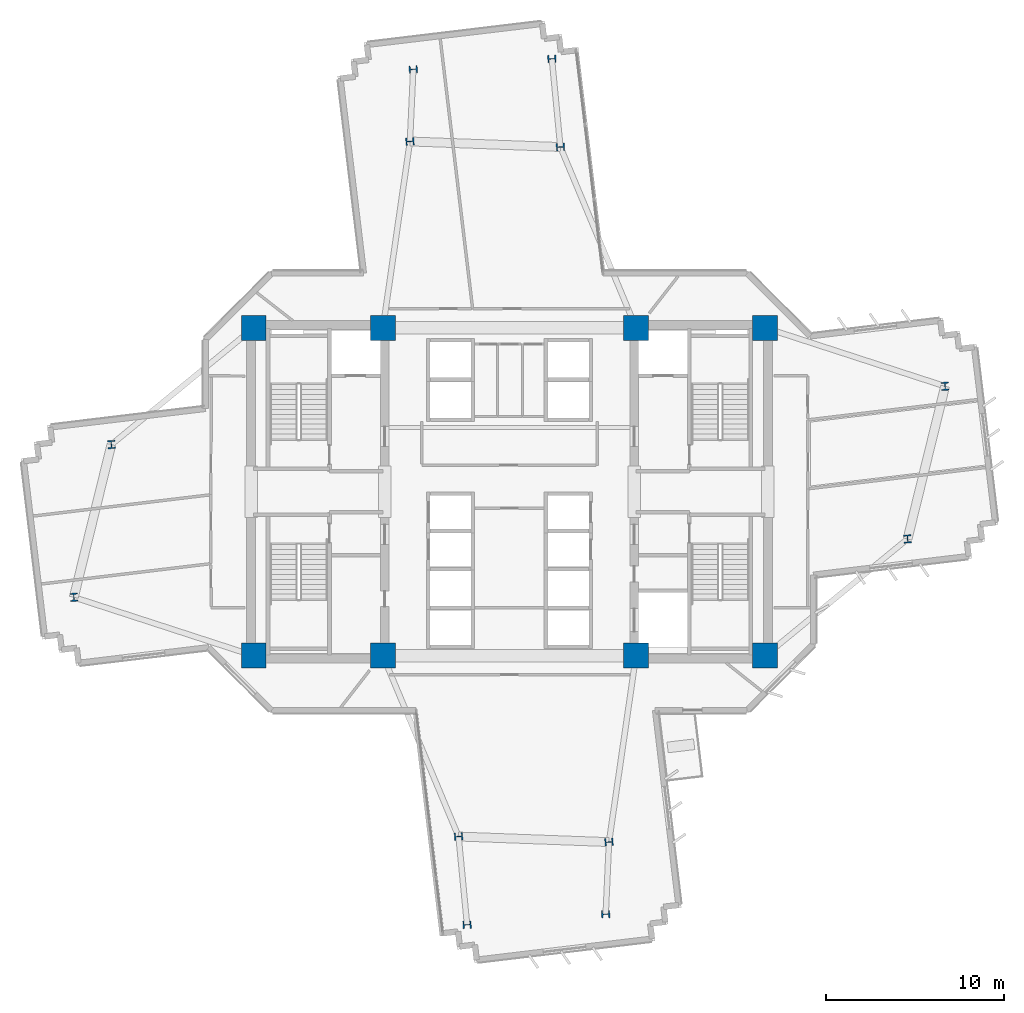
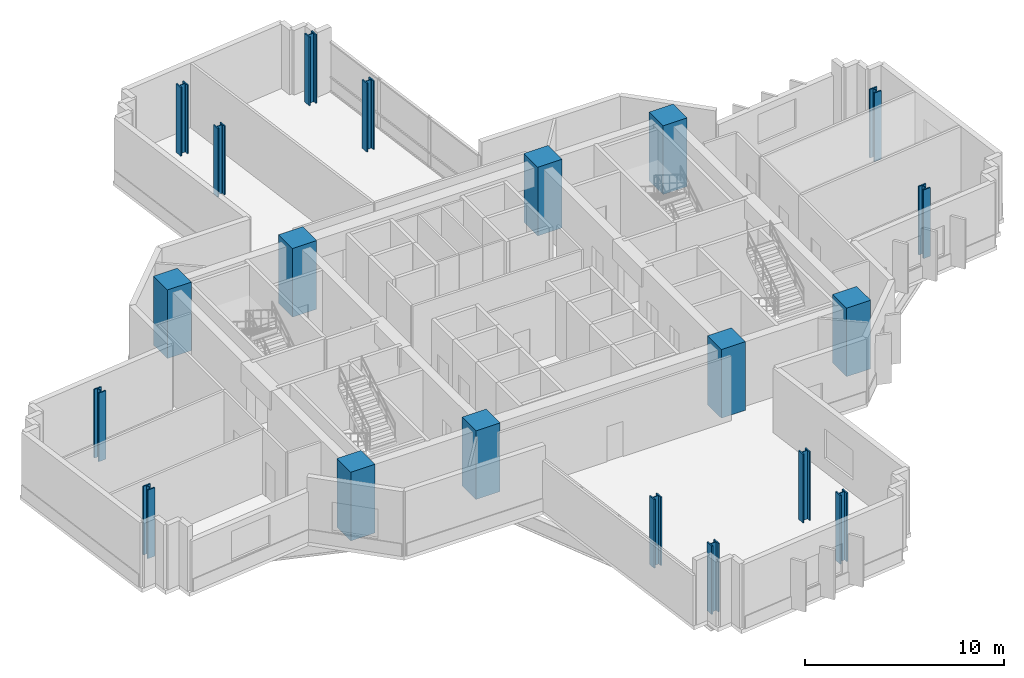
# One storey, part 1 of 15: 20 columns.
"""IFC4 building model written with IfcOpenShell, lengths in metres."""

from ifc_helpers import new_model, si_unit, direction, frame, origin, origin_2d, place, context, subcontext, project, spatial, rectangle, i_section, extrude, source, transform, mapped, material, material_profile, profile_set, type_object, element, save


model = new_model("IFC4")

# Units and contexts
model_context = context("Model", 3, precision=1e-05, world=origin(), true_north=direction((0.0, 1.0)))
body_context = subcontext(model_context, "Body", "Model", "MODEL_VIEW")
ifc_project = project(units=[si_unit("LENGTHUNIT", "METRE"), si_unit("AREAUNIT", "SQUARE_METRE"), si_unit("VOLUMEUNIT", "CUBIC_METRE"), si_unit("PLANEANGLEUNIT", "RADIAN"), si_unit("MASSUNIT", "GRAM", prefix="KILO")], contexts=[model_context])

# Site, building, storey
site_placement = place(None, origin())
site = spatial("IfcSite", under=ifc_project, at=site_placement, CompositionType="ELEMENT")
building_placement = place(site_placement, origin())
building = spatial("IfcBuilding", under=site, at=building_placement, Name="Zahravan Cultural Tower", CompositionType="ELEMENT")
storey_placement = place(building_placement, frame((0.0, 0.0, 113.10009765625)))
storey = spatial("IfcBuildingStorey", under=building, at=storey_placement, Name="L25", CompositionType="ELEMENT", Elevation=113.10009765625)

# Columns
ifc_material_1 = material(Name="Concrete C60/75", Category="concrete")
ifc_material_profile_1 = material_profile(ifc_material_1, rectangle(XDim=1.39990234375, YDim=1.39990234375, at=origin_2d()), Name="RC1400X1400")
ifc_profile_set_1 = profile_set([ifc_material_profile_1], Name="Concrete C60/75")
column_type_1 = type_object("IfcColumnType", Name="COL-RC1400", PredefinedType="COLUMN", material=ifc_profile_set_1)
shared_shape_1 = source(origin(), body_context, "Body", "SweptSolid", [
    extrude(rectangle(XDim=1.39990234375, YDim=1.39990234375, at=origin_2d()), origin(), (0.0, 0.0, 1.0), 4.199951171875),
])
for number, where, z_axis, x_axis, name in (
    (1, (21.64990234375, 17.800048828125, 0.0), (0.0, 0.0, 1.0), (1.0, 0.0, 0.0), "L25 Column CC-W1"),
    (2, (28.89990234375, 17.800048828125, 0.0), (0.0, 0.0, 1.0), (1.0, 0.0, 0.0), "L25 Column CC-W2"),
    (3, (21.64990234375, 36.199951171875, 0.0), (0.0, 0.0, 1.0), (1.0, 0.0, 0.0), "L25 Column CC-W3"),
    (4, (28.89990234375, 36.199951171875, 0.0), (0.0, 0.0, 1.0), (1.0, 0.0, 0.0), "L25 Column CC-W4"),
    (5, (43.10009765625, 17.800048828125, 0.0), (0.0, 0.0, 1.0), (1.0, 0.0, 0.0), "L25 Column CC-E1"),
    (6, (50.35009765625, 17.800048828125, 0.0), (0.0, 0.0, 1.0), (1.0, 0.0, 0.0), "L25 Column CC-E2"),
    (7, (43.10009765625, 36.199951171875, 0.0), (0.0, 0.0, 1.0), (1.0, 0.0, 0.0), "L25 Column CC-E3"),
    (8, (50.35009765625, 36.199951171875, 0.0), (0.0, 0.0, 1.0), (1.0, 0.0, 0.0), "L25 Column CC-E4"),
):
    element("IfcColumn", number, at=place(storey_placement, frame(where, z_axis=z_axis, x_axis=x_axis)), inside=storey, type_object=column_type_1, Name=name, PredefinedType="COLUMN", context=body_context, shape_type="MappedRepresentation", body=[
        mapped(shared_shape_1, transform((0.0, 0.0, 0.0), x_axis=(1.0, 0.0, 0.0), y_axis=(0.0, 1.0, 0.0), z_axis=(0.0, 0.0, 1.0), scale=1.0)),
    ])
ifc_material_2 = material(Name="Steel ASTM A992 Grade 50", Category="steel")
ifc_material_profile_2 = material_profile(ifc_material_2, i_section(OverallWidth=0.4208984375, OverallDepth=0.465087890625, WebThickness=0.044921875, FlangeThickness=0.072509765625, FilletRadius=0.01806640625, at=origin_2d()), Name="W14X398")
ifc_profile_set_2 = profile_set([ifc_material_profile_2], Name="Steel ASTM A992 Grade 50")
column_type_2 = type_object("IfcColumnType", Name="COL-W14X398", PredefinedType="COLUMN", material=ifc_profile_set_2)
shared_shape_2 = source(origin(), body_context, "Body", "SweptSolid", [
    extrude(i_section(OverallWidth=0.4208984375, OverallDepth=0.465087890625, WebThickness=0.044921875, FlangeThickness=0.072509765625, FilletRadius=0.01806640625, at=origin_2d()), origin(), (0.0, 0.0, 1.0), 4.199951171875),
])
for number, where, z_axis, x_axis, name in (
    (9, (58.339111328125, 24.351806640625, 0.0), (0.0, 0.0, 1.0), (0.99756405026, 0.069756473744, 0.0), "L25 Column Z1C-E1"),
    (10, (60.446533203125, 32.919677734375, 0.0), (0.0, 0.0, 1.0), (0.99756405026, 0.069756473744, 0.0), "L25 Column Z1C-E2"),
    (11, (38.857421875, 46.346435546875, 0.0), (0.0, 0.0, 1.0), (-0.069756473744, 0.99756405026, 0.0), "L25 Column Z1C-N1"),
    (12, (30.4150390625, 46.658203125, 0.0), (0.0, 0.0, 1.0), (-0.069756473744, 0.99756405026, 0.0), "L25 Column Z1C-N2"),
    (13, (13.660888671875, 29.648193359375, 0.0), (0.0, 0.0, 1.0), (0.99756405026, 0.069756473744, 0.0), "L25 Column Z1C-W1"),
    (14, (11.553466796875, 21.080322265625, 0.0), (0.0, 0.0, 1.0), (0.99756405026, 0.069756473744, 0.0), "L25 Column Z1C-W2"),
    (15, (33.142578125, 7.653564453125, 0.0), (0.0, 0.0, 1.0), (-0.069756473744, 0.99756405026, 0.0), "L25 Column Z1C-S1"),
    (16, (41.5849609375, 7.341796875, 0.0), (0.0, 0.0, 1.0), (-0.069756473744, 0.99756405026, 0.0), "L25 Column Z1C-S2"),
    (17, (38.379150390625, 51.29736328125, 0.0), (0.0, 0.0, 1.0), (-0.062790519529, 0.998026728428, 0.0), "L25 Column Z1T-N1"),
    (18, (30.6005859375, 50.707763671875, 0.0), (0.0, 0.0, 1.0), (-0.062790519529, 0.998026728428, 0.0), "L25 Column Z1T-N2"),
    (19, (33.620849609375, 2.70263671875, 0.0), (0.0, 0.0, 1.0), (-0.062790519529, 0.998026728428, 0.0), "L25 Column Z1T-S1"),
    (20, (41.3994140625, 3.292236328125, 0.0), (0.0, 0.0, 1.0), (-0.062790519529, 0.998026728428, 0.0), "L25 Column Z1T-S2"),
):
    element("IfcColumn", number, at=place(storey_placement, frame(where, z_axis=z_axis, x_axis=x_axis)), inside=storey, type_object=column_type_2, Name=name, PredefinedType="COLUMN", context=body_context, shape_type="MappedRepresentation", body=[
        mapped(shared_shape_2, transform((0.0, 0.0, 0.0), x_axis=(1.0, 0.0, 0.0), y_axis=(0.0, 1.0, 0.0), z_axis=(0.0, 0.0, 1.0), scale=1.0)),
    ])

save(model, "model.ifc")
